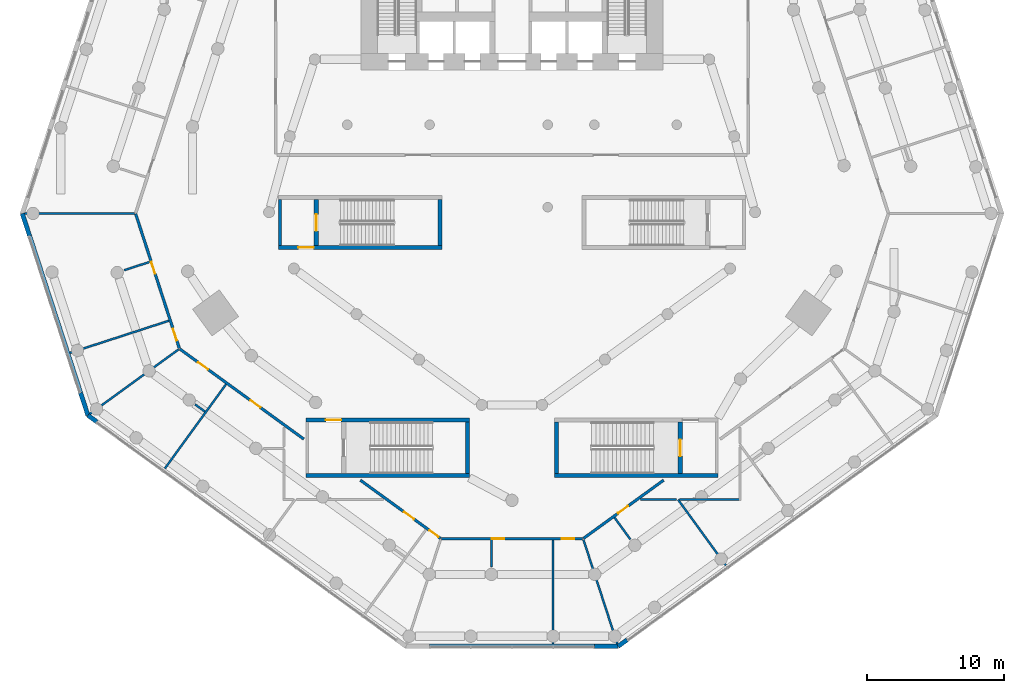
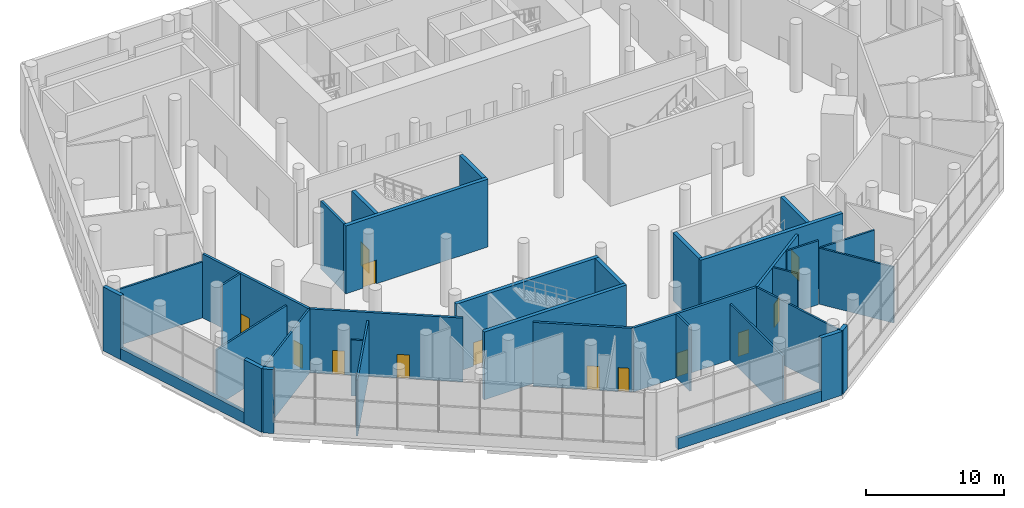
# One storey, part 10 of 19: 35 walls, 13 doors, 13 openings.
"""IFC4 building model written with IfcOpenShell, lengths in metres."""

from ifc_helpers import new_model, si_unit, direction, frame, frame_2d, origin, place, context, subcontext, project, spatial, rectangle, extrude, material, layer, layer_set, type_object, element, fill, save


model = new_model("IFC4")

# Units and contexts
model_context = context("Model", 3, precision=1e-05, world=origin(), true_north=direction((0.0, 1.0)))
body_context = subcontext(model_context, "Body", "Model", "MODEL_VIEW")
ifc_project = project(units=[si_unit("LENGTHUNIT", "METRE"), si_unit("AREAUNIT", "SQUARE_METRE"), si_unit("VOLUMEUNIT", "CUBIC_METRE"), si_unit("PLANEANGLEUNIT", "RADIAN"), si_unit("MASSUNIT", "GRAM", prefix="KILO")], contexts=[model_context])

# Site, building, storey
site_placement = place(None, origin())
site = spatial("IfcSite", under=ifc_project, at=site_placement, CompositionType="ELEMENT")
building_placement = place(site_placement, origin())
building = spatial("IfcBuilding", under=site, at=building_placement, Name="White Candle Pilgrim Tower", CompositionType="ELEMENT")
storey_placement = place(building_placement, frame((0.0, 0.0, 23.0)))
storey = spatial("IfcBuildingStorey", under=building, at=storey_placement, Name="L03", CompositionType="ELEMENT", Elevation=23.0)

# Walls
ifc_material_1 = material(Name="Concrete C70/85", Category="concrete")
ifc_layer_1 = layer(ifc_material_1, 0.199951171875)
ifc_layer_set_1 = layer_set([ifc_layer_1], Name="Core wall 200 mm Concrete C70/85")
wall_type_1 = type_object("IfcWallType", Name="Core wall 200 mm Concrete C70/85", PredefinedType="SHEAR", material=ifc_layer_set_1)
wall_1_placement = place(storey_placement, frame((53.10009765625, 58.199951171875, 0.0), z_axis=(0.0, 0.0, 1.0), x_axis=(0.0, 1.0, 0.0)))
element("IfcWall", 1, at=wall_1_placement, inside=storey, type_object=wall_type_1, Name="WL-L03-C13", PredefinedType="SHEAR", context=body_context, shape_type="SweptSolid", body=[
    extrude(rectangle(XDim=3.35009765625, YDim=0.199951171875, at=frame_2d((1.675048828125, 0.0))), origin(), (0.0, 0.0, 1.0), 6.0),
])
ifc_material_2 = material(Name="Precast concrete C40/50", Category="concrete")
ifc_layer_2 = layer(ifc_material_2, 0.320068359375)
ifc_layer_set_2 = layer_set([ifc_layer_2], Name="Facade wall EW3 precast concrete C40/50 and stone-faced podium wall")
wall_type_2 = type_object("IfcWallType", Name="Facade wall EW3 precast concrete C40/50 and stone-faced podium wall", PredefinedType="SOLIDWALL", material=ifc_layer_set_2)
wall_2_placement = place(storey_placement, frame((34.345458984375, 60.5390625, 0.0), z_axis=(0.0, 0.0, 1.0), x_axis=(0.309006126888, -0.951060047287, 0.0)))
element("IfcWall", 2, at=wall_2_placement, inside=storey, type_object=wall_type_2, Name="Facade wall L03 W chamfer", PredefinedType="SOLIDWALL", context=body_context, shape_type="SweptSolid", body=[
    extrude(rectangle(XDim=1.726318359375, YDim=0.320068359375, at=frame_2d((0.86328125, 0.0))), origin(), (0.0, 0.0, 1.0), 5.64990234375),
])
wall_3_placement = place(storey_placement, frame((34.87890625, 58.897216796875, 0.0), z_axis=(0.0, 0.0, 1.0), x_axis=(0.309022586479, -0.951054699292, 0.0)))
element("IfcWall", 3, at=wall_3_placement, inside=storey, type_object=wall_type_2, Name="Sill wall L03 W chamfer", PredefinedType="SOLIDWALL", context=body_context, shape_type="SweptSolid", body=[
    extrude(rectangle(XDim=12.0, YDim=0.320068359375, at=frame_2d((6.0, 0.0))), origin(), (0.0, 0.0, 1.0), 1.0),
])
wall_4_placement = place(storey_placement, frame((38.587158203125, 47.484619140625, 0.0), z_axis=(0.0, 0.0, 1.0), x_axis=(0.309006126888, -0.951060047287, 0.0)))
element("IfcWall", 4, at=wall_4_placement, inside=storey, type_object=wall_type_2, Name="Facade wall L03 W chamfer", PredefinedType="SOLIDWALL", context=body_context, shape_type="SweptSolid", body=[
    extrude(rectangle(XDim=1.726318359375, YDim=0.320068359375, at=frame_2d((0.86328125, 0.0))), origin(), (0.0, 0.0, 1.0), 5.64990234375),
])
wall_5_placement = place(storey_placement, frame((39.12060546875, 45.8427734375, 0.0), z_axis=(0.0, 0.0, 1.0), x_axis=(0.808957761835, -0.587866770252, 0.0)))
element("IfcWall", 5, at=wall_5_placement, inside=storey, type_object=wall_type_2, Name="Facade wall L03 SW", PredefinedType="SOLIDWALL", context=body_context, shape_type="SweptSolid", body=[
    extrude(rectangle(XDim=0.809326171875, YDim=0.320068359375, at=frame_2d((0.40478515625, 0.0))), origin(), (0.0, 0.0, 1.0), 5.64990234375),
])
wall_6_placement = place(storey_placement, frame((64.0, 29.02099609375, 0.0), z_axis=(0.0, 0.0, 1.0), x_axis=(1.0, 0.0, 0.0)))
element("IfcWall", 6, at=wall_6_placement, inside=storey, type_object=wall_type_2, Name="Sill wall L03 S chamfer", PredefinedType="SOLIDWALL", context=body_context, shape_type="SweptSolid", body=[
    extrude(rectangle(XDim=12.0, YDim=0.320068359375, at=frame_2d((6.0, 0.0))), origin(), (0.0, 0.0, 1.0), 1.0),
])
wall_7_placement = place(storey_placement, frame((76.0, 29.02099609375, 0.0), z_axis=(0.0, 0.0, 1.0), x_axis=(1.0, 0.0, 0.0)))
element("IfcWall", 7, at=wall_7_placement, inside=storey, type_object=wall_type_2, Name="Facade wall L03 S chamfer", PredefinedType="SOLIDWALL", context=body_context, shape_type="SweptSolid", body=[
    extrude(rectangle(XDim=1.726318359375, YDim=0.320068359375, at=frame_2d((0.86328125, 0.0))), origin(), (0.0, 0.0, 1.0), 5.64990234375),
])
wall_8_placement = place(storey_placement, frame((77.726318359375, 29.02099609375, 0.0), z_axis=(0.0, 0.0, 1.0), x_axis=(0.808957761835, 0.587866770252, 0.0)))
element("IfcWall", 8, at=wall_8_placement, inside=storey, type_object=wall_type_2, Name="Facade wall L03 SE", PredefinedType="SOLIDWALL", context=body_context, shape_type="SweptSolid", body=[
    extrude(rectangle(XDim=0.809326171875, YDim=0.320068359375, at=frame_2d((0.40478515625, 0.0))), origin(), (0.0, 0.0, 1.0), 5.64990234375),
])

# Wall, opening, door
ifc_material_3 = material(Name="Autoclaved aerated block D500, plastered")
ifc_layer_3 = layer(ifc_material_3, 0.199951171875)
ifc_layer_set_3 = layer_set([ifc_layer_3], Name="Hall enclosure wall 200 mm REI 240")
wall_type_3 = type_object("IfcWallType", Name="Hall enclosure wall 200 mm REI 240", PredefinedType="PARTITIONING", material=ifc_layer_set_3)
wall_9_placement = place(storey_placement, frame((81.039794921875, 41.119140625, 0.0), z_axis=(0.0, 0.0, 1.0), x_axis=(-0.809015599229, -0.587787172542, 0.0)))
wall_9 = element("IfcWall", 9, at=wall_9_placement, inside=storey, type_object=wall_type_3, Name="WL-L03-P006", PredefinedType="PARTITIONING", context=body_context, shape_type="SweptSolid", body=[
    extrude(rectangle(XDim=7.2119140625, YDim=0.199951171875, at=frame_2d((3.60595703125, 0.0))), origin(), (0.0, 0.0, 1.0), 5.64990234375),
])
opening_1_placement = place(wall_9_placement, frame((3.197998046875, 0.0, 0.0)))
opening_1 = element("IfcOpeningElement", 10, at=opening_1_placement, cuts=wall_9, Name="Opening L03-112", PredefinedType="OPENING", context=body_context, shape_type="SweptSolid", body=[
    extrude(rectangle(XDim=0.89990234375, YDim=2.10009765625, at=frame_2d((0.449951171875, 1.050048828125))), frame((0.0, 0.10986328125, 0.0), z_axis=(0.0, -1.0, 0.0), x_axis=(1.0, 0.0, 0.0)), (0.0, 0.0, 1.0), 0.219970703125),
])
ifc_material_4 = material(Name="Steel door leaf", Category="steel")
door_type_1 = type_object("IfcDoorType", Name="Fire door 900 x 2100 EI 60", OperationType="NOTDEFINED", PredefinedType="DOOR", material=ifc_material_4)
door_1_placement = place(opening_1_placement, origin())
door_1 = element("IfcDoor", 11, at=door_1_placement, inside=storey, type_object=door_type_1, Name="Door L03-112", OperationType="SINGLE_SWING_RIGHT", OverallHeight=2.10009765625, OverallWidth=0.89990234375, PredefinedType="DOOR", context=body_context, shape_type="SweptSolid", body=[
    extrude(rectangle(XDim=0.89990234375, YDim=2.10009765625, at=frame_2d((0.449951171875, 1.050048828125))), frame((0.0, 0.02490234375, 0.0), z_axis=(0.0, -1.0, 0.0), x_axis=(1.0, 0.0, 0.0)), (0.0, 0.0, 1.0), 0.050048828125),
])
fill(opening_1, door_1)

# Wall, openings, doors
wall_10_placement = place(storey_placement, frame((75.146484375, 36.861083984375, 0.0), z_axis=(0.0, 0.0, 1.0), x_axis=(-1.0, 0.0, 0.0)))
wall_10 = element("IfcWall", 12, at=wall_10_placement, inside=storey, type_object=wall_type_3, Name="WL-L03-P007", PredefinedType="PARTITIONING", context=body_context, shape_type="SweptSolid", body=[
    extrude(rectangle(XDim=10.29296875, YDim=0.199951171875, at=frame_2d((5.146484375, 0.0))), origin(), (0.0, 0.0, 1.0), 5.64990234375),
])
opening_2_placement = place(wall_10_placement, frame((5.7109375, 0.0, 0.0)))
opening_2 = element("IfcOpeningElement", 13, at=opening_2_placement, cuts=wall_10, Name="Opening L03-110", PredefinedType="OPENING", context=body_context, shape_type="SweptSolid", body=[
    extrude(rectangle(XDim=0.89990234375, YDim=2.10009765625, at=frame_2d((0.449951171875, 1.050048828125))), frame((0.0, 0.10986328125, 0.0), z_axis=(0.0, -1.0, 0.0), x_axis=(1.0, 0.0, 0.0)), (0.0, 0.0, 1.0), 0.219970703125),
])
opening_3_placement = place(wall_10_placement, frame((0.60693359375, 0.0, 0.0)))
opening_3 = element("IfcOpeningElement", 14, at=opening_3_placement, cuts=wall_10, Name="Opening L03-111", PredefinedType="OPENING", context=body_context, shape_type="SweptSolid", body=[
    extrude(rectangle(XDim=0.89990234375, YDim=2.10009765625, at=frame_2d((0.449951171875, 1.050048828125))), frame((0.0, 0.10986328125, 0.0), z_axis=(0.0, -1.0, 0.0), x_axis=(1.0, 0.0, 0.0)), (0.0, 0.0, 1.0), 0.219970703125),
])
door_2_placement = place(opening_2_placement, origin())
door_2 = element("IfcDoor", 15, at=door_2_placement, inside=storey, type_object=door_type_1, Name="Door L03-110", OperationType="SINGLE_SWING_RIGHT", OverallHeight=2.10009765625, OverallWidth=0.89990234375, PredefinedType="DOOR", context=body_context, shape_type="SweptSolid", body=[
    extrude(rectangle(XDim=0.89990234375, YDim=2.10009765625, at=frame_2d((0.449951171875, 1.050048828125))), frame((0.0, 0.02490234375, 0.0), z_axis=(0.0, -1.0, 0.0), x_axis=(1.0, 0.0, 0.0)), (0.0, 0.0, 1.0), 0.050048828125),
])
fill(opening_2, door_2)
door_3_placement = place(opening_3_placement, origin())
door_3 = element("IfcDoor", 16, at=door_3_placement, inside=storey, type_object=door_type_1, Name="Door L03-111", OperationType="SINGLE_SWING_LEFT", OverallHeight=2.10009765625, OverallWidth=0.89990234375, PredefinedType="DOOR", context=body_context, shape_type="SweptSolid", body=[
    extrude(rectangle(XDim=0.89990234375, YDim=2.10009765625, at=frame_2d((0.449951171875, 1.050048828125))), frame((0.0, 0.02490234375, 0.0), z_axis=(0.0, -1.0, 0.0), x_axis=(1.0, 0.0, 0.0)), (0.0, 0.0, 1.0), 0.050048828125),
])
fill(opening_3, door_3)

wall_11_placement = place(storey_placement, frame((64.794677734375, 36.880126953125, 0.0), z_axis=(0.0, 0.0, 1.0), x_axis=(-0.809015599229, 0.587787172542, 0.0)))
wall_11 = element("IfcWall", 17, at=wall_11_placement, inside=storey, type_object=wall_type_3, Name="WL-L03-P008", PredefinedType="PARTITIONING", context=body_context, shape_type="SweptSolid", body=[
    extrude(rectangle(XDim=7.2119140625, YDim=0.199951171875, at=frame_2d((3.60595703125, 0.0))), origin(), (0.0, 0.0, 1.0), 5.64990234375),
])
opening_4_placement = place(wall_11_placement, frame((2.37451171875, 0.0, 0.0)))
opening_4 = element("IfcOpeningElement", 18, at=opening_4_placement, cuts=wall_11, Name="Opening L03-108", PredefinedType="OPENING", context=body_context, shape_type="SweptSolid", body=[
    extrude(rectangle(XDim=0.89990234375, YDim=2.10009765625, at=frame_2d((0.449951171875, 1.050048828125))), frame((0.0, 0.10986328125, 0.0), z_axis=(0.0, -1.0, 0.0), x_axis=(1.0, 0.0, 0.0)), (0.0, 0.0, 1.0), 0.219970703125),
])
opening_5_placement = place(wall_11_placement, frame((0.198486328125, 0.0, 0.0)))
opening_5 = element("IfcOpeningElement", 19, at=opening_5_placement, cuts=wall_11, Name="Opening L03-109", PredefinedType="OPENING", context=body_context, shape_type="SweptSolid", body=[
    extrude(rectangle(XDim=0.800048828125, YDim=2.10009765625, at=frame_2d((0.39990234375, 1.050048828125))), frame((0.0, 0.10986328125, 0.0), z_axis=(0.0, -1.0, 0.0), x_axis=(1.0, 0.0, 0.0)), (0.0, 0.0, 1.0), 0.219970703125),
])
door_type_2 = type_object("IfcDoorType", Name="Fire door 800 x 2100 EI 60", OperationType="NOTDEFINED", PredefinedType="DOOR", material=ifc_material_4)
door_4_placement = place(opening_5_placement, origin())
door_4 = element("IfcDoor", 20, at=door_4_placement, inside=storey, type_object=door_type_2, Name="Door L03-109", OperationType="SINGLE_SWING_LEFT", OverallHeight=2.10009765625, OverallWidth=0.800048828125, PredefinedType="DOOR", context=body_context, shape_type="SweptSolid", body=[
    extrude(rectangle(XDim=0.800048828125, YDim=2.10009765625, at=frame_2d((0.39990234375, 1.050048828125))), frame((0.0, 0.02490234375, 0.0), z_axis=(0.0, -1.0, 0.0), x_axis=(1.0, 0.0, 0.0)), (0.0, 0.0, 1.0), 0.050048828125),
])
fill(opening_5, door_4)
door_5_placement = place(opening_4_placement, origin())
door_5 = element("IfcDoor", 21, at=door_5_placement, inside=storey, type_object=door_type_1, Name="Door L03-108", OperationType="SINGLE_SWING_RIGHT", OverallHeight=2.10009765625, OverallWidth=0.89990234375, PredefinedType="DOOR", context=body_context, shape_type="SweptSolid", body=[
    extrude(rectangle(XDim=0.89990234375, YDim=2.10009765625, at=frame_2d((0.449951171875, 1.050048828125))), frame((0.0, 0.02490234375, 0.0), z_axis=(0.0, -1.0, 0.0), x_axis=(1.0, 0.0, 0.0)), (0.0, 0.0, 1.0), 0.050048828125),
])
fill(opening_4, door_5)

wall_12_placement = place(storey_placement, frame((54.84130859375, 44.11181640625, 0.0), z_axis=(0.0, 0.0, 1.0), x_axis=(-0.809025571226, 0.587773447089, 0.0)))
wall_12 = element("IfcWall", 22, at=wall_12_placement, inside=storey, type_object=wall_type_3, Name="WL-L03-P009", PredefinedType="PARTITIONING", context=body_context, shape_type="SweptSolid", body=[
    extrude(rectangle(XDim=11.15576171875, YDim=0.199951171875, at=frame_2d((5.577880859375, 0.0))), origin(), (0.0, 0.0, 1.0), 5.64990234375),
])
opening_6_placement = place(wall_12_placement, frame((8.607177734375, 0.0, 0.0)))
opening_6 = element("IfcOpeningElement", 23, at=opening_6_placement, cuts=wall_12, Name="Opening L03-106", PredefinedType="OPENING", context=body_context, shape_type="SweptSolid", body=[
    extrude(rectangle(XDim=0.89990234375, YDim=2.10009765625, at=frame_2d((0.449951171875, 1.050048828125))), frame((0.0, 0.10986328125, 0.0), z_axis=(0.0, -1.0, 0.0), x_axis=(1.0, 0.0, 0.0)), (0.0, 0.0, 1.0), 0.219970703125),
])
opening_7_placement = place(wall_12_placement, frame((3.90380859375, 0.0, 0.0)))
opening_7 = element("IfcOpeningElement", 24, at=opening_7_placement, cuts=wall_12, Name="Opening L03-107", PredefinedType="OPENING", context=body_context, shape_type="SweptSolid", body=[
    extrude(rectangle(XDim=0.89990234375, YDim=2.10009765625, at=frame_2d((0.449951171875, 1.050048828125))), frame((0.0, 0.10986328125, 0.0), z_axis=(0.0, -1.0, 0.0), x_axis=(1.0, 0.0, 0.0)), (0.0, 0.0, 1.0), 0.219970703125),
])
door_6_placement = place(opening_6_placement, origin())
door_6 = element("IfcDoor", 25, at=door_6_placement, inside=storey, type_object=door_type_1, Name="Door L03-106", OperationType="SINGLE_SWING_RIGHT", OverallHeight=2.10009765625, OverallWidth=0.89990234375, PredefinedType="DOOR", context=body_context, shape_type="SweptSolid", body=[
    extrude(rectangle(XDim=0.89990234375, YDim=2.10009765625, at=frame_2d((0.449951171875, 1.050048828125))), frame((0.0, 0.02490234375, 0.0), z_axis=(0.0, -1.0, 0.0), x_axis=(1.0, 0.0, 0.0)), (0.0, 0.0, 1.0), 0.050048828125),
])
fill(opening_6, door_6)
door_7_placement = place(opening_7_placement, origin())
door_7 = element("IfcDoor", 26, at=door_7_placement, inside=storey, type_object=door_type_1, Name="Door L03-107", OperationType="SINGLE_SWING_LEFT", OverallHeight=2.10009765625, OverallWidth=0.89990234375, PredefinedType="DOOR", context=body_context, shape_type="SweptSolid", body=[
    extrude(rectangle(XDim=0.89990234375, YDim=2.10009765625, at=frame_2d((0.449951171875, 1.050048828125))), frame((0.0, 0.02490234375, 0.0), z_axis=(0.0, -1.0, 0.0), x_axis=(1.0, 0.0, 0.0)), (0.0, 0.0, 1.0), 0.050048828125),
])
fill(opening_7, door_7)

wall_13_placement = place(storey_placement, frame((45.77978515625, 50.718994140625, 0.0), z_axis=(0.0, 0.0, 1.0), x_axis=(-0.309010449617, 0.951058642791, 0.0)))
wall_13 = element("IfcWall", 27, at=wall_13_placement, inside=storey, type_object=wall_type_3, Name="WL-L03-P010", PredefinedType="PARTITIONING", context=body_context, shape_type="SweptSolid", body=[
    extrude(rectangle(XDim=10.29296875, YDim=0.199951171875, at=frame_2d((5.146484375, 0.0))), origin(), (0.0, 0.0, 1.0), 5.64990234375),
])
opening_8_placement = place(wall_13_placement, frame((5.7109375, 0.0, 0.0)))
opening_8 = element("IfcOpeningElement", 28, at=opening_8_placement, cuts=wall_13, Name="Opening L03-104", PredefinedType="OPENING", context=body_context, shape_type="SweptSolid", body=[
    extrude(rectangle(XDim=0.89990234375, YDim=2.10009765625, at=frame_2d((0.449951171875, 1.050048828125))), frame((0.0, 0.10986328125, 0.0), z_axis=(0.0, -1.0, 0.0), x_axis=(1.0, 0.0, 0.0)), (0.0, 0.0, 1.0), 0.219970703125),
])
opening_9_placement = place(wall_13_placement, frame((0.60693359375, 0.0, 0.0)))
opening_9 = element("IfcOpeningElement", 29, at=opening_9_placement, cuts=wall_13, Name="Opening L03-105", PredefinedType="OPENING", context=body_context, shape_type="SweptSolid", body=[
    extrude(rectangle(XDim=0.89990234375, YDim=2.10009765625, at=frame_2d((0.449951171875, 1.050048828125))), frame((0.0, 0.10986328125, 0.0), z_axis=(0.0, -1.0, 0.0), x_axis=(1.0, 0.0, 0.0)), (0.0, 0.0, 1.0), 0.219970703125),
])
door_8_placement = place(opening_8_placement, origin())
door_8 = element("IfcDoor", 30, at=door_8_placement, inside=storey, type_object=door_type_1, Name="Door L03-104", OperationType="SINGLE_SWING_RIGHT", OverallHeight=2.10009765625, OverallWidth=0.89990234375, PredefinedType="DOOR", context=body_context, shape_type="SweptSolid", body=[
    extrude(rectangle(XDim=0.89990234375, YDim=2.10009765625, at=frame_2d((0.449951171875, 1.050048828125))), frame((0.0, 0.02490234375, 0.0), z_axis=(0.0, -1.0, 0.0), x_axis=(1.0, 0.0, 0.0)), (0.0, 0.0, 1.0), 0.050048828125),
])
fill(opening_8, door_8)
door_9_placement = place(opening_9_placement, origin())
door_9 = element("IfcDoor", 31, at=door_9_placement, inside=storey, type_object=door_type_1, Name="Door L03-105", OperationType="SINGLE_SWING_LEFT", OverallHeight=2.10009765625, OverallWidth=0.89990234375, PredefinedType="DOOR", context=body_context, shape_type="SweptSolid", body=[
    extrude(rectangle(XDim=0.89990234375, YDim=2.10009765625, at=frame_2d((0.449951171875, 1.050048828125))), frame((0.0, 0.02490234375, 0.0), z_axis=(0.0, -1.0, 0.0), x_axis=(1.0, 0.0, 0.0)), (0.0, 0.0, 1.0), 0.050048828125),
])
fill(opening_9, door_9)

# Walls
ifc_material_5 = material(Name="Gypsum board on steel studs", Category="steel")
ifc_layer_4 = layer(ifc_material_5, 0.14990234375)
ifc_layer_set_4 = layer_set([ifc_layer_4], Name="Partition 150 mm EI 60")
wall_type_4 = type_object("IfcWallType", Name="Partition 150 mm EI 60", PredefinedType="PARTITIONING", material=ifc_layer_set_4)
wall_14_placement = place(storey_placement, frame((34.513671875, 60.539306640625, 0.0), z_axis=(0.0, 0.0, 1.0), x_axis=(1.0, 0.0, 0.0)))
element("IfcWall", 32, at=wall_14_placement, inside=storey, type_object=wall_type_4, Name="WL-L03-P014", PredefinedType="PARTITIONING", context=body_context, shape_type="SweptSolid", body=[
    extrude(rectangle(XDim=7.990234375, YDim=0.14990234375, at=frame_2d((3.9951171875, 0.0))), origin(), (0.0, 0.0, 1.0), 4.949951171875),
])
for number, where, z_axis, x_axis, name in (
    (33, (39.2568359375, 45.941650390625, 0.0), (0.0, 0.0, 1.0), (0.80901214883, 0.587791921556, 0.0), "WL-L03-P015"),
    (34, (77.67431640625, 29.18115234375, 0.0), (0.0, 0.0, 1.0), (-0.309004544659, 0.951060561363, 0.0), "WL-L03-P017"),
):
    element("IfcWall", number, at=place(storey_placement, frame(where, z_axis=z_axis, x_axis=x_axis)), inside=storey, type_object=wall_type_4, Name=name, PredefinedType="PARTITIONING", context=body_context, shape_type="SweptSolid", body=[
        extrude(rectangle(XDim=7.990234375, YDim=0.14990234375, at=frame_2d((3.9951171875, 0.0))), origin(), (0.0, 0.0, 1.0), 5.64990234375),
    ])
wall_15_placement = place(storey_placement, frame((37.812255859375, 50.38720703125, 0.0), z_axis=(0.0, 0.0, 1.0), x_axis=(0.951058681979, 0.309010329007, 0.0)))
element("IfcWall", 35, at=wall_15_placement, inside=storey, type_object=wall_type_4, Name="WL-L03-P022", PredefinedType="PARTITIONING", context=body_context, shape_type="SweptSolid", body=[
    extrude(rectangle(XDim=7.580078125, YDim=0.14990234375, at=frame_2d((3.7900390625, 0.0))), origin(), (0.0, 0.0, 1.0), 4.949951171875),
])
for number, where, z_axis, x_axis, name in (
    (36, (44.7236328125, 41.9697265625, 0.0), (0.0, 0.0, 1.0), (0.587779028788, 0.809021515979, 0.0), "WL-L03-P023"),
    (37, (73.0, 29.18115234375, 0.0), (0.0, 0.0, 1.0), (0.0, 1.0, 0.0), "WL-L03-P026"),
):
    element("IfcWall", number, at=place(storey_placement, frame(where, z_axis=z_axis, x_axis=x_axis)), inside=storey, type_object=wall_type_4, Name=name, PredefinedType="PARTITIONING", context=body_context, shape_type="SweptSolid", body=[
        extrude(rectangle(XDim=7.579833984375, YDim=0.14990234375, at=frame_2d((3.7900390625, 0.0))), origin(), (0.0, 0.0, 1.0), 4.949951171875),
    ])
wall_16_placement = place(storey_placement, frame((85.568115234375, 34.916259765625, 0.0), z_axis=(0.0, 0.0, 1.0), x_axis=(-0.587761624616, 0.80903416036, 0.0)))
element("IfcWall", 38, at=wall_16_placement, inside=storey, type_object=wall_type_4, Name="WL-L03-P027", PredefinedType="PARTITIONING", context=body_context, shape_type="SweptSolid", body=[
    extrude(rectangle(XDim=5.912841796875, YDim=0.14990234375, at=frame_2d((2.95654296875, 0.0))), origin(), (0.0, 0.0, 1.0), 4.949951171875),
])
wall_17_placement = place(storey_placement, frame((41.76513671875, 56.408203125, 0.0), z_axis=(0.0, 0.0, 1.0), x_axis=(0.951047798727, 0.309043823005, 0.0)))
element("IfcWall", 39, at=wall_17_placement, inside=storey, type_object=wall_type_4, Name="WL-L03-P036", PredefinedType="PARTITIONING", context=body_context, shape_type="SweptSolid", body=[
    extrude(rectangle(XDim=1.9599609375, YDim=0.14990234375, at=frame_2d((0.97998046875, 0.0))), origin(), (0.0, 0.0, 1.0), 5.64990234375),
])
wall_18_placement = place(storey_placement, frame((46.926025390625, 46.634521484375, 0.0), z_axis=(0.0, 0.0, 1.0), x_axis=(0.809010335679, -0.587794417092, 0.0)))
element("IfcWall", 40, at=wall_18_placement, inside=storey, type_object=wall_type_4, Name="WL-L03-P037", PredefinedType="PARTITIONING", context=body_context, shape_type="SweptSolid", body=[
    extrude(rectangle(XDim=0.885009765625, YDim=0.14990234375, at=frame_2d((0.4423828125, 0.0))), origin(), (0.0, 0.0, 1.0), 4.949951171875),
])
wall_19_placement = place(storey_placement, frame((68.497802734375, 34.801025390625, 0.0), z_axis=(0.0, 0.0, 1.0), x_axis=(0.0, 1.0, 0.0)))
element("IfcWall", 41, at=wall_19_placement, inside=storey, type_object=wall_type_4, Name="WL-L03-P040", PredefinedType="PARTITIONING", context=body_context, shape_type="SweptSolid", body=[
    extrude(rectangle(XDim=1.9599609375, YDim=0.14990234375, at=frame_2d((0.97998046875, 0.0))), origin(), (0.0, 0.0, 1.0), 5.64990234375),
])
wall_20_placement = place(storey_placement, frame((78.615478515625, 36.81103515625, 0.0), z_axis=(0.0, 0.0, 1.0), x_axis=(-0.587675470877, 0.809096743863, 0.0)))
element("IfcWall", 42, at=wall_20_placement, inside=storey, type_object=wall_type_4, Name="WL-L03-P041", PredefinedType="PARTITIONING", context=body_context, shape_type="SweptSolid", body=[
    extrude(rectangle(XDim=1.96044921875, YDim=0.14990234375, at=frame_2d((0.980224609375, 0.0))), origin(), (0.0, 0.0, 1.0), 5.64990234375),
])
wall_21_placement = place(storey_placement, frame((82.199462890625, 39.699951171875, 0.0), z_axis=(0.0, 0.0, 1.0), x_axis=(1.0, 0.0, 0.0)))
element("IfcWall", 43, at=wall_21_placement, inside=storey, type_object=wall_type_4, Name="WL-L03-P064", PredefinedType="PARTITIONING", context=body_context, shape_type="SweptSolid", body=[
    extrude(rectangle(XDim=4.46044921875, YDim=0.14990234375, at=frame_2d((2.230224609375, 0.0))), origin(), (0.0, 0.0, 1.0), 4.949951171875),
])
wall_22_placement = place(storey_placement, frame((79.358642578125, 39.699951171875, 0.0), z_axis=(0.0, 0.0, 1.0), x_axis=(1.0, 0.0, 0.0)))
element("IfcWall", 44, at=wall_22_placement, inside=storey, type_object=wall_type_4, Name="WL-L03-P066", PredefinedType="PARTITIONING", context=body_context, shape_type="SweptSolid", body=[
    extrude(rectangle(XDim=2.6328125, YDim=0.14990234375, at=frame_2d((1.31640625, 0.0))), origin(), (0.0, 0.0, 1.0), 5.64990234375),
])
ifc_layer_5 = layer(ifc_material_1, 0.300048828125)
ifc_layer_set_5 = layer_set([ifc_layer_5], Name="Stair shaft wall 300 mm Concrete C70/85")
wall_type_5 = type_object("IfcWallType", Name="Stair shaft wall 300 mm Concrete C70/85", PredefinedType="SHEAR", material=ifc_layer_set_5)
for number, where, z_axis, x_axis, name in (
    (45, (55.0, 41.449951171875, 0.0), (0.0, 0.0, 1.0), (1.0, 0.0, 0.0), "WL-L03-C01"),
    (46, (73.10009765625, 41.449951171875, 0.0), (0.0, 0.0, 1.0), (1.0, 0.0, 0.0), "WL-L03-C02"),
):
    element("IfcWall", number, at=place(storey_placement, frame(where, z_axis=z_axis, x_axis=x_axis)), inside=storey, type_object=wall_type_5, Name=name, PredefinedType="SHEAR", context=body_context, shape_type="SweptSolid", body=[
        extrude(rectangle(XDim=11.89990234375, YDim=0.300048828125, at=frame_2d((5.949951171875, 0.0))), origin(), (0.0, 0.0, 1.0), 6.0),
    ])
for number, where, z_axis, x_axis, name in (
    (47, (66.75, 41.60009765625, 0.0), (0.0, 0.0, 1.0), (0.0, 1.0, 0.0), "WL-L03-C05"),
    (48, (73.25, 41.60009765625, 0.0), (0.0, 0.0, 1.0), (0.0, 1.0, 0.0), "WL-L03-C06"),
):
    element("IfcWall", number, at=place(storey_placement, frame(where, z_axis=z_axis, x_axis=x_axis)), inside=storey, type_object=wall_type_5, Name=name, PredefinedType="SHEAR", context=body_context, shape_type="SweptSolid", body=[
        extrude(rectangle(XDim=3.75, YDim=0.300048828125, at=frame_2d((1.875, 0.0))), origin(), (0.0, 0.0, 1.0), 6.0),
    ])

# Wall, opening, door
wall_23_placement = place(storey_placement, frame((82.25, 41.60009765625, 0.0), z_axis=(0.0, 0.0, 1.0), x_axis=(0.0, 1.0, 0.0)))
wall_23 = element("IfcWall", 49, at=wall_23_placement, inside=storey, type_object=wall_type_5, Name="WL-L03-C07", PredefinedType="SHEAR", context=body_context, shape_type="SweptSolid", body=[
    extrude(rectangle(XDim=3.75, YDim=0.300048828125, at=frame_2d((1.875, 0.0))), origin(), (0.0, 0.0, 1.0), 6.0),
])
opening_10_placement = place(wall_23_placement, frame((1.27490234375, 0.0, 0.0)))
opening_10 = element("IfcOpeningElement", 50, at=opening_10_placement, cuts=wall_23, Name="Opening L03-014", PredefinedType="OPENING", context=body_context, shape_type="SweptSolid", body=[
    extrude(rectangle(XDim=1.199951171875, YDim=2.10009765625, at=frame_2d((0.60009765625, 1.050048828125))), frame((0.0, 0.159912109375, 0.0), z_axis=(0.0, -1.0, 0.0), x_axis=(1.0, 0.0, 0.0)), (0.0, 0.0, 1.0), 0.320068359375),
])
door_type_3 = type_object("IfcDoorType", Name="Fire door 1200 x 2100 EI 60", OperationType="NOTDEFINED", PredefinedType="DOOR", material=ifc_material_4)
door_10_placement = place(opening_10_placement, origin())
door_10 = element("IfcDoor", 51, at=door_10_placement, inside=storey, type_object=door_type_3, Name="Door L03-014", OperationType="SINGLE_SWING_RIGHT", OverallHeight=2.10009765625, OverallWidth=1.199951171875, PredefinedType="DOOR", context=body_context, shape_type="SweptSolid", body=[
    extrude(rectangle(XDim=1.199951171875, YDim=2.10009765625, at=frame_2d((0.60009765625, 1.050048828125))), frame((0.0, 0.02490234375, 0.0), z_axis=(0.0, -1.0, 0.0), x_axis=(1.0, 0.0, 0.0)), (0.0, 0.0, 1.0), 0.050048828125),
])
fill(opening_10, door_10)

wall_24_placement = place(storey_placement, frame((55.0, 45.5, 0.0), z_axis=(0.0, 0.0, 1.0), x_axis=(1.0, 0.0, 0.0)))
wall_24 = element("IfcWall", 52, at=wall_24_placement, inside=storey, type_object=wall_type_5, Name="WL-L03-C09", PredefinedType="SHEAR", context=body_context, shape_type="SweptSolid", body=[
    extrude(rectangle(XDim=11.89990234375, YDim=0.300048828125, at=frame_2d((5.949951171875, 0.0))), origin(), (0.0, 0.0, 1.0), 6.0),
])
opening_11_placement = place(wall_24_placement, frame((1.449951171875, 0.0, 0.0)))
opening_11 = element("IfcOpeningElement", 53, at=opening_11_placement, cuts=wall_24, Name="Opening L03-011", PredefinedType="OPENING", context=body_context, shape_type="SweptSolid", body=[
    extrude(rectangle(XDim=1.10009765625, YDim=2.10009765625, at=frame_2d((0.550048828125, 1.050048828125))), frame((0.0, 0.159912109375, 0.0), z_axis=(0.0, -1.0, 0.0), x_axis=(1.0, 0.0, 0.0)), (0.0, 0.0, 1.0), 0.320068359375),
])
door_type_4 = type_object("IfcDoorType", Name="Fire door 1100 x 2100 EI 60", OperationType="NOTDEFINED", PredefinedType="DOOR", material=ifc_material_4)
door_11_placement = place(opening_11_placement, frame((1.10009765625, 0.0, 0.0), z_axis=(0.0, 0.0, 1.0), x_axis=(-1.0, 0.0, 0.0)))
door_11 = element("IfcDoor", 54, at=door_11_placement, inside=storey, type_object=door_type_4, Name="Door L03-011", OperationType="SINGLE_SWING_RIGHT", OverallHeight=2.10009765625, OverallWidth=1.10009765625, PredefinedType="DOOR", context=body_context, shape_type="SweptSolid", body=[
    extrude(rectangle(XDim=1.10009765625, YDim=2.10009765625, at=frame_2d((0.550048828125, 1.050048828125))), frame((0.0, 0.02490234375, 0.0), z_axis=(0.0, -1.0, 0.0), x_axis=(1.0, 0.0, 0.0)), (0.0, 0.0, 1.0), 0.050048828125),
])
fill(opening_11, door_11)

wall_25_placement = place(storey_placement, frame((53.0, 58.050048828125, 0.0), z_axis=(0.0, 0.0, 1.0), x_axis=(1.0, 0.0, 0.0)))
wall_25 = element("IfcWall", 55, at=wall_25_placement, inside=storey, type_object=wall_type_5, Name="WL-L03-C11", PredefinedType="SHEAR", context=body_context, shape_type="SweptSolid", body=[
    extrude(rectangle(XDim=11.89990234375, YDim=0.300048828125, at=frame_2d((5.949951171875, 0.0))), origin(), (0.0, 0.0, 1.0), 6.0),
])
opening_12_placement = place(wall_25_placement, frame((1.449951171875, 0.0, 0.0)))
opening_12 = element("IfcOpeningElement", 56, at=opening_12_placement, cuts=wall_25, Name="Opening L03-007", PredefinedType="OPENING", context=body_context, shape_type="SweptSolid", body=[
    extrude(rectangle(XDim=1.10009765625, YDim=2.10009765625, at=frame_2d((0.550048828125, 1.050048828125))), frame((0.0, 0.159912109375, 0.0), z_axis=(0.0, -1.0, 0.0), x_axis=(1.0, 0.0, 0.0)), (0.0, 0.0, 1.0), 0.320068359375),
])
door_12_placement = place(opening_12_placement, origin())
door_12 = element("IfcDoor", 57, at=door_12_placement, inside=storey, type_object=door_type_4, Name="Door L03-007", OperationType="SINGLE_SWING_LEFT", OverallHeight=2.10009765625, OverallWidth=1.10009765625, PredefinedType="DOOR", context=body_context, shape_type="SweptSolid", body=[
    extrude(rectangle(XDim=1.10009765625, YDim=2.10009765625, at=frame_2d((0.550048828125, 1.050048828125))), frame((0.0, 0.02490234375, 0.0), z_axis=(0.0, -1.0, 0.0), x_axis=(1.0, 0.0, 0.0)), (0.0, 0.0, 1.0), 0.050048828125),
])
fill(opening_12, door_12)

wall_26_placement = place(storey_placement, frame((55.75, 58.199951171875, 0.0), z_axis=(0.0, 0.0, 1.0), x_axis=(0.0, 1.0, 0.0)))
wall_26 = element("IfcWall", 58, at=wall_26_placement, inside=storey, type_object=wall_type_5, Name="WL-L03-C14", PredefinedType="SHEAR", context=body_context, shape_type="SweptSolid", body=[
    extrude(rectangle(XDim=3.35009765625, YDim=0.300048828125, at=frame_2d((1.675048828125, 0.0))), origin(), (0.0, 0.0, 1.0), 6.0),
])
opening_13_placement = place(wall_26_placement, frame((1.074951171875, 0.0, 0.0)))
opening_13 = element("IfcOpeningElement", 59, at=opening_13_placement, cuts=wall_26, Name="Opening L03-008", PredefinedType="OPENING", context=body_context, shape_type="SweptSolid", body=[
    extrude(rectangle(XDim=1.199951171875, YDim=2.10009765625, at=frame_2d((0.60009765625, 1.050048828125))), frame((0.0, 0.159912109375, 0.0), z_axis=(0.0, -1.0, 0.0), x_axis=(1.0, 0.0, 0.0)), (0.0, 0.0, 1.0), 0.320068359375),
])
door_13_placement = place(opening_13_placement, frame((1.199951171875, 0.0, 0.0), z_axis=(0.0, 0.0, 1.0), x_axis=(-1.0, 0.0, 0.0)))
door_13 = element("IfcDoor", 60, at=door_13_placement, inside=storey, type_object=door_type_3, Name="Door L03-008", OperationType="SINGLE_SWING_LEFT", OverallHeight=2.10009765625, OverallWidth=1.199951171875, PredefinedType="DOOR", context=body_context, shape_type="SweptSolid", body=[
    extrude(rectangle(XDim=1.199951171875, YDim=2.10009765625, at=frame_2d((0.60009765625, 1.050048828125))), frame((0.0, 0.02490234375, 0.0), z_axis=(0.0, -1.0, 0.0), x_axis=(1.0, 0.0, 0.0)), (0.0, 0.0, 1.0), 0.050048828125),
])
fill(opening_13, door_13)

# Wall
wall_27_placement = place(storey_placement, frame((64.75, 58.199951171875, 0.0), z_axis=(0.0, 0.0, 1.0), x_axis=(0.0, 1.0, 0.0)))
element("IfcWall", 61, at=wall_27_placement, inside=storey, type_object=wall_type_5, Name="WL-L03-C15", PredefinedType="SHEAR", context=body_context, shape_type="SweptSolid", body=[
    extrude(rectangle(XDim=3.35009765625, YDim=0.300048828125, at=frame_2d((1.675048828125, 0.0))), origin(), (0.0, 0.0, 1.0), 6.0),
])

save(model, "model.ifc")
